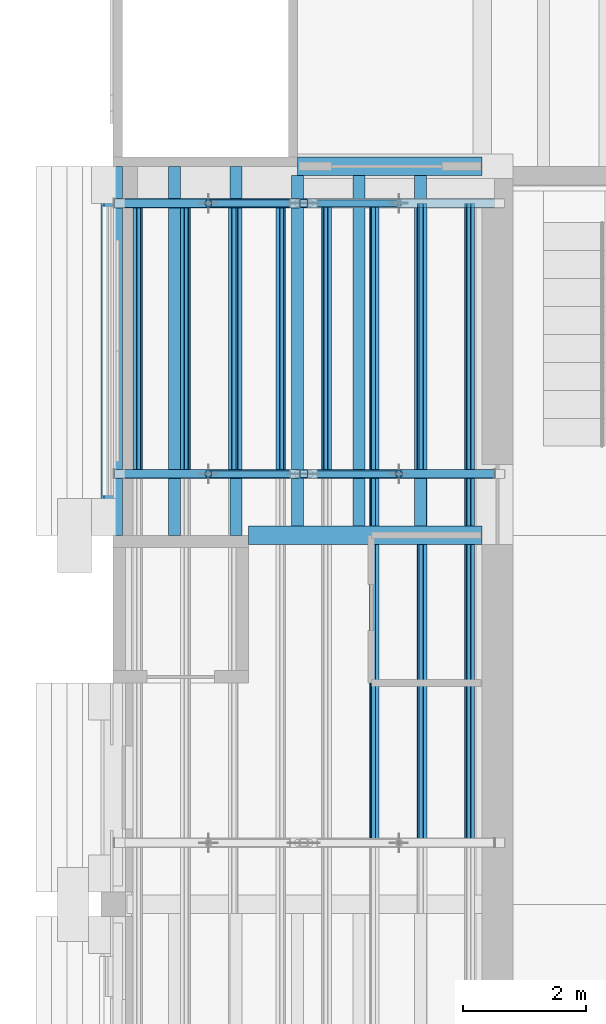
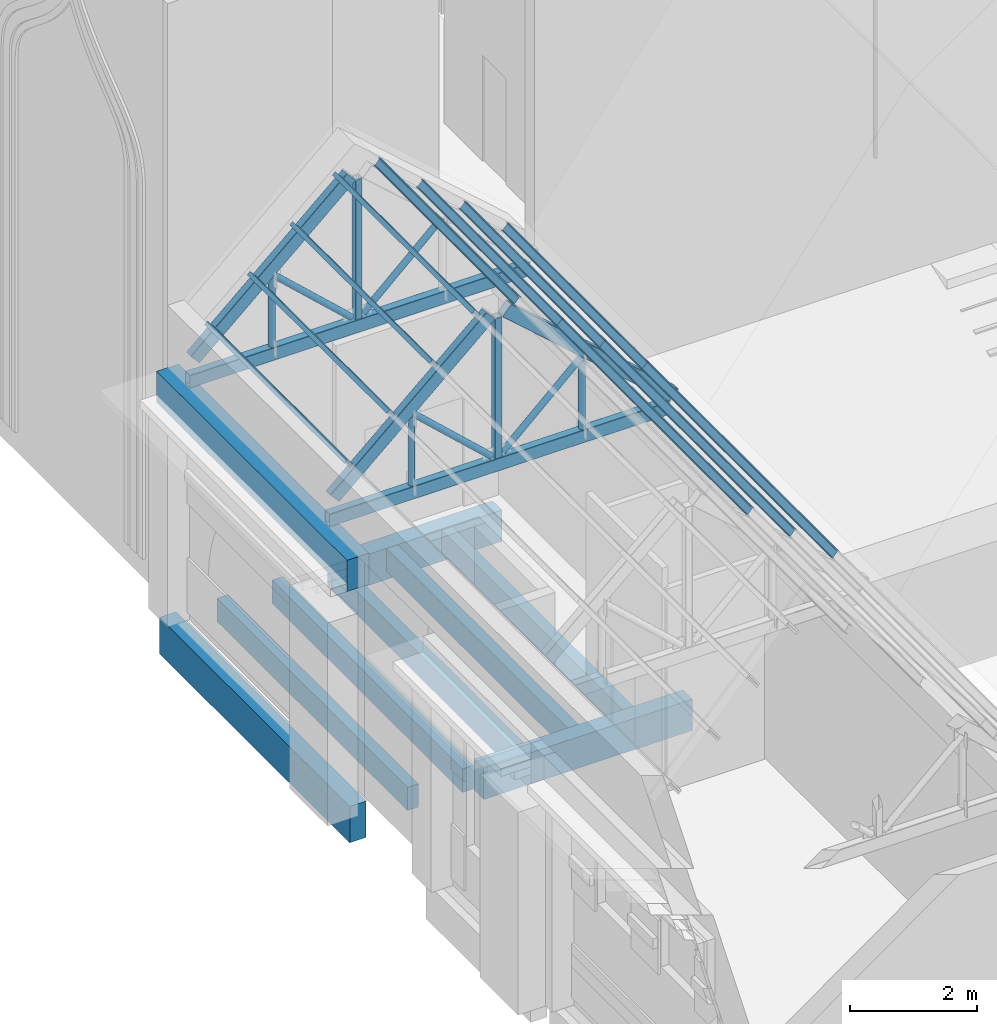
# One storey, part 41 of 118: 25 members, 9 beams.
"""IFC4 building model written with IfcOpenShell, lengths in metres."""

import ifcopenshell
import ifcopenshell.guid

model = None  # the IFC model being written
_history = None  # IfcOwnerHistory: only IFC2X3 demands one
_inside = {}  # id of a spatial element -> (the spatial element, [elements in it])
_under = {}  # id of a project, library or spatial element -> (it, [spatial elements below it])
_declared = {}  # id of a project -> (the project, [libraries it declares])
_typed = {}  # id of a type object -> (the type object, [elements of that type])
_made_of = {}  # id of a material, layer set ... -> (it, [elements and type objects made of it])


def new_model(schema):
    """Start an empty IFC model of exactly this schema.

    Asked for "IFC4X3", IfcOpenShell would pick the latest addendum, in which some entities
    have other attributes; the version numbers below select the first issue.
    IFC2X3 requires an IfcOwnerHistory on every rooted entity: one is made here for all.
    """
    global model, _history
    if schema == "IFC4X3":
        model = ifcopenshell.file(schema_version=(4, 3, 0, 0))
    else:
        model = ifcopenshell.file(schema=schema)
    _inside.clear()
    _under.clear()
    _declared.clear()
    _typed.clear()
    _made_of.clear()
    _history = None
    if model.schema == "IFC2X3":
        org = make("IfcOrganization", Name="unknown")
        user = make(
            "IfcPersonAndOrganization",
            ThePerson=make("IfcPerson", FamilyName="unknown"),
            TheOrganization=org,
        )
        app = make(
            "IfcApplication",
            ApplicationDeveloper=org,
            Version="unknown",
            ApplicationFullName="unknown",
            ApplicationIdentifier="unknown",
        )
        _history = make(
            "IfcOwnerHistory",
            OwningUser=user,
            OwningApplication=app,
            ChangeAction="ADDED",
            CreationDate=0,
        )
    return model


def make(cls, **values):
    """One entity of the class cls with the attributes given. An attribute that is None is left unset."""
    return model.create_entity(
        cls, **{name: value for name, value in values.items() if value is not None}
    )


def rooted(cls, **values):
    """An entity with a GlobalId (a new one), such as an element, a storey or a relation."""
    return make(cls, GlobalId=ifcopenshell.guid.new(), OwnerHistory=_history, **values)


def si_unit(unit_type, name, prefix=None):
    """IfcSIUnit, for example si_unit("LENGTHUNIT", "METRE", prefix="MILLI")."""
    return make("IfcSIUnit", UnitType=unit_type, Prefix=prefix, Name=name)


def assignment(units):
    """IfcUnitAssignment: the units of a project."""
    return None if units is None else make("IfcUnitAssignment", Units=units)


def point(xyz):
    """IfcCartesianPoint."""
    return None if xyz is None else make("IfcCartesianPoint", Coordinates=xyz)


def direction(xyz):
    """IfcDirection."""
    return None if xyz is None else make("IfcDirection", DirectionRatios=xyz)


def frame(location, z_axis=None, x_axis=None):
    """IfcAxis2Placement3D, a coordinate frame: its origin and axes. An axis left out is left unset."""
    return make(
        "IfcAxis2Placement3D",
        Location=point(location),
        Axis=direction(z_axis),
        RefDirection=direction(x_axis),
    )


def frame_2d(location, x_axis=None):
    """IfcAxis2Placement2D, a coordinate frame in the plane: its origin and x axis."""
    return make(
        "IfcAxis2Placement2D", Location=point(location), RefDirection=direction(x_axis)
    )


def origin():
    """The frame at (0, 0, 0) with its axes left unset."""
    return frame((0.0, 0.0, 0.0))


def origin_2d():
    """The frame at (0, 0) in the plane with its x axis left unset."""
    return frame_2d((0.0, 0.0))


def place(relative_to, where):
    """IfcLocalPlacement: puts the frame where relative to a parent placement (None: the world)."""
    return make(
        "IfcLocalPlacement", PlacementRelTo=relative_to, RelativePlacement=where
    )


def context(
    kind, dimensions, precision=None, world=None, true_north=None, identifier=None
):
    """IfcGeometricRepresentationContext, for example the 3D "Model" context."""
    return make(
        "IfcGeometricRepresentationContext",
        ContextIdentifier=identifier,
        ContextType=kind,
        CoordinateSpaceDimension=dimensions,
        Precision=precision,
        WorldCoordinateSystem=world,
        TrueNorth=true_north,
    )


def subcontext(parent, identifier, kind, view, scale=None):
    """IfcGeometricRepresentationSubContext, for example "Body" below "Model"."""
    return make(
        "IfcGeometricRepresentationSubContext",
        ContextIdentifier=identifier,
        ContextType=kind,
        ParentContext=parent,
        TargetScale=scale,
        TargetView=view,
    )


def project(units=None, contexts=None):
    """IfcProject with its units and contexts."""
    return rooted(
        "IfcProject",
        Name="project",
        RepresentationContexts=contexts,
        UnitsInContext=assignment(units),
    )


def spatial(cls, under=None, at=None, **own):
    """A site, building, storey or space (cls), placed at a placement, below another one or the project."""
    s = rooted(cls, ObjectPlacement=at, **own)
    if under is not None:
        _under.setdefault(under.id(), (under, []))[1].append(s)
    return s


def profile(cls, at=None, kind="AREA", **sizes):
    """A parametric profile (cls). Its sizes go by their IFC names, for example OverallWidth=200.0."""
    return make(cls, ProfileType=kind, Position=at, **sizes)


def rectangle(**sizes):
    """IfcRectangleProfileDef."""
    return profile("IfcRectangleProfileDef", **sizes)


def hollow_rectangle(**sizes):
    """IfcRectangleHollowProfileDef."""
    return profile("IfcRectangleHollowProfileDef", **sizes)


def hollow_circle(**sizes):
    """IfcCircleHollowProfileDef."""
    return profile("IfcCircleHollowProfileDef", **sizes)


def i_section(**sizes):
    """IfcIShapeProfileDef."""
    return profile("IfcIShapeProfileDef", **sizes)


def extrude(swept, where, along, depth):
    """IfcExtrudedAreaSolid: the profile swept, set in the frame where, extruded along a direction by depth."""
    return make(
        "IfcExtrudedAreaSolid",
        SweptArea=swept,
        Position=where,
        ExtrudedDirection=direction(along),
        Depth=depth,
    )


def shape(context_of_items, identifier, shape_type, items):
    """IfcShapeRepresentation: the items that make up one representation, for example the "Body"."""
    return make(
        "IfcShapeRepresentation",
        ContextOfItems=context_of_items,
        RepresentationIdentifier=identifier,
        RepresentationType=shape_type,
        Items=items,
    )


def material(Name=None, Category=None):
    """IfcMaterial."""
    return make("IfcMaterial", Name=Name, Category=Category)


def material_profile(
    of_material, cross_section, Name=None, Category=None, Priority=None
):
    """IfcMaterialProfile: a cross section and its material."""
    return make(
        "IfcMaterialProfile",
        Name=Name,
        Material=of_material,
        Profile=cross_section,
        Priority=Priority,
        Category=Category,
    )


def profile_set(profiles, Name=None, composite=None):
    """IfcMaterialProfileSet."""
    return make(
        "IfcMaterialProfileSet",
        Name=Name,
        MaterialProfiles=profiles,
        CompositeProfile=composite,
    )


def made_of(thing, what):
    """Note that an element or type object is made of a material, layer set ...; save() writes the relation."""
    if what is not None:
        _made_of.setdefault(what.id(), (what, []))[1].append(thing)
    return thing


def type_object(cls, material=None, **own):
    """A type object (cls), such as IfcWallType, which elements share."""
    return made_of(rooted(cls, **own), material)


def element(
    cls,
    number,
    at=None,
    inside=None,
    cuts=None,
    type_object=None,
    material=None,
    context=None,
    identifier="Body",
    shape_type=None,
    held_by="IfcProductDefinitionShape",
    body=None,
    shapes=None,
    **own,
):
    """One element of the class cls, such as IfcWall. Its Tag is "e" and its number.

    at: its placement. inside: the storey or other place that contains it. cuts: it is an
    opening in that element (IfcRelVoidsElement). A single representation is given by context,
    identifier, shape_type and body (its items); several are given by shapes. held_by: the class
    of the entity that holds the representations. save() writes the other relations.
    """
    e = rooted(cls, Tag="e%d" % number, ObjectPlacement=at, **own)
    if body is not None:
        shapes = [shape(context, identifier, shape_type, body)]
    if shapes is not None:
        e.Representation = make(held_by, Representations=shapes)
    if inside is not None:
        _inside.setdefault(inside.id(), (inside, []))[1].append(e)
    if cuts is not None:
        rooted(
            "IfcRelVoidsElement", RelatingBuildingElement=cuts, RelatedOpeningElement=e
        )
    if type_object is not None:
        _typed.setdefault(type_object.id(), (type_object, []))[1].append(e)
    return made_of(e, material)


def aggregate(whole, parts):
    """IfcRelAggregates: a whole, such as a stair, and the parts it consists of."""
    return rooted("IfcRelAggregates", RelatingObject=whole, RelatedObjects=parts)


def save(model, path):
    """Write the relations noted so far, then the file.

    IfcRelAggregates (storeys below a building ...), IfcRelContainedInSpatialStructure (elements
    in a storey), IfcRelDefinesByType, IfcRelAssociatesMaterial and IfcRelDeclares: one each for
    every whole, place, type object, material and project.
    """
    for whole, parts in _under.values():
        aggregate(whole, parts)
    for where, things in _inside.values():
        rooted(
            "IfcRelContainedInSpatialStructure",
            RelatedElements=things,
            RelatingStructure=where,
        )
    for kind, things in _typed.values():
        rooted("IfcRelDefinesByType", RelatedObjects=things, RelatingType=kind)
    for what, things in _made_of.values():
        rooted("IfcRelAssociatesMaterial", RelatedObjects=things, RelatingMaterial=what)
    for by, libraries in _declared.values():
        rooted("IfcRelDeclares", RelatingContext=by, RelatedDefinitions=libraries)
    model.write(path)


model = new_model("IFC4")

# Units and contexts
model_context = context("Model", 3, precision=1e-05, world=origin(), true_north=direction((0.0, 1.0)))
body_context = subcontext(model_context, "Body", "Model", "MODEL_VIEW")
ifc_project = project(units=[si_unit("LENGTHUNIT", "METRE"), si_unit("AREAUNIT", "SQUARE_METRE"), si_unit("VOLUMEUNIT", "CUBIC_METRE"), si_unit("PLANEANGLEUNIT", "RADIAN"), si_unit("MASSUNIT", "GRAM", prefix="KILO")], contexts=[model_context])

# Site, building, storey
site_placement = place(None, origin())
site = spatial("IfcSite", under=ifc_project, at=site_placement, CompositionType="ELEMENT")
building_placement = place(site_placement, origin())
building = spatial("IfcBuilding", under=site, at=building_placement, Name="Saffron Lane Theatres", CompositionType="ELEMENT")
storey_placement = place(building_placement, frame((0.0, 0.0, 16.5)))
storey = spatial("IfcBuildingStorey", under=building, at=storey_placement, Name="L03", CompositionType="ELEMENT", Elevation=16.5)

# Beams
ifc_material_1 = material(Name="Concrete N40 (40 MPa)", Category="concrete")
ifc_material_profile_1 = material_profile(ifc_material_1, rectangle(XDim=0.300048828125, YDim=0.60009765625, at=origin_2d()))
ifc_profile_set_1 = profile_set([ifc_material_profile_1], Name="Concrete N40 (40 MPa)")
beam_type_1 = type_object("IfcBeamType", Name="RC-BEAM 300x600", PredefinedType="BEAM", material=ifc_profile_set_1)
beam_1_placement = place(storey_placement, frame((14.199951171875, 84.0, -0.550048828125), z_axis=(1.0, 0.0, 0.0), x_axis=(0.0, 1.0, 0.0)))
element("IfcBeam", 1, at=beam_1_placement, inside=storey, type_object=beam_type_1, Name="beam-L03-x840-142", PredefinedType="BEAM", context=body_context, shape_type="SweptSolid", body=[
    extrude(rectangle(XDim=0.300048828125, YDim=0.60009765625, at=origin_2d()), origin(), (0.0, 0.0, 1.0), 3.800048828125),
])
beam_2_placement = place(storey_placement, frame((15.0, 90.0, -0.550048828125), z_axis=(1.0, 0.0, 0.0), x_axis=(0.0, 1.0, 0.0)))
element("IfcBeam", 2, at=beam_2_placement, inside=storey, type_object=beam_type_1, Name="beam-L03-x900-150", PredefinedType="BEAM", context=body_context, shape_type="SweptSolid", body=[
    extrude(rectangle(XDim=0.300048828125, YDim=0.60009765625, at=origin_2d()), origin(), (0.0, 0.0, 1.0), 3.0),
])
ifc_material_2 = material(Name="Concrete N40 (40 MPa)", Category="concrete")
ifc_material_profile_2 = material_profile(ifc_material_2, rectangle(XDim=0.300048828125, YDim=0.699951171875, at=origin_2d()))
ifc_profile_set_2 = profile_set([ifc_material_profile_2], Name="Concrete N40 (40 MPa)")
beam_type_2 = type_object("IfcBeamType", Name="RC-BEAM 300x700", PredefinedType="BEAM", material=ifc_profile_set_2)
beam_3_placement = place(storey_placement, frame((12.0, 84.0, -0.60009765625), z_axis=(0.0, 1.0, 0.0), x_axis=(-1.0, 0.0, 0.0)))
element("IfcBeam", 3, at=beam_3_placement, inside=storey, type_object=beam_type_2, Name="beam-L03-y120-840", PredefinedType="BEAM", context=body_context, shape_type="SweptSolid", body=[
    extrude(rectangle(XDim=0.300048828125, YDim=0.699951171875, at=origin_2d()), origin(), (0.0, 0.0, 1.0), 6.0),
])
ifc_material_3 = material(Name="Concrete N40 (40 MPa)", Category="concrete")
ifc_material_profile_3 = material_profile(ifc_material_3, rectangle(XDim=0.39990234375, YDim=0.60009765625, at=origin_2d()))
ifc_profile_set_3 = profile_set([ifc_material_profile_3], Name="Concrete N40 (40 MPa)")
beam_type_3 = type_object("IfcBeamType", Name="RC-BEAM 400x600", PredefinedType="BEAM", material=ifc_profile_set_3)
beam_4_placement = place(storey_placement, frame((12.0, 84.0, 4.199951171875), z_axis=(0.0, 1.0, 0.0), x_axis=(-1.0, 0.0, 0.0)))
element("IfcBeam", 4, at=beam_4_placement, inside=storey, type_object=beam_type_3, Name="beam-roof-side-y120-6", PredefinedType="BEAM", context=body_context, shape_type="SweptSolid", body=[
    extrude(rectangle(XDim=0.39990234375, YDim=0.60009765625, at=origin_2d()), origin(), (0.0, 0.0, 1.0), 6.0),
])
ifc_material_4 = material(Name="Concrete N40 (40 MPa)", Category="concrete")
ifc_material_profile_4 = material_profile(ifc_material_4, rectangle(XDim=0.199951171875, YDim=0.449951171875, at=origin_2d()))
ifc_profile_set_4 = profile_set([ifc_material_profile_4], Name="Concrete N40 (40 MPa)")
beam_type_4 = type_object("IfcBeamType", Name="RC-JOIST 200x450", PredefinedType="JOIST", material=ifc_profile_set_4)
for number, where, z_axis, x_axis, name in (
    (5, (13.0, 84.0, -0.47509765625), (0.0, 1.0, 0.0), (-1.0, 0.0, 0.0), "joist-L03-y1300-840"),
    (6, (14.0, 84.0, -0.47509765625), (0.0, 1.0, 0.0), (-1.0, 0.0, 0.0), "joist-L03-y1400-840"),
):
    element("IfcBeam", number, at=place(storey_placement, frame(where, z_axis=z_axis, x_axis=x_axis)), inside=storey, type_object=beam_type_4, Name=name, PredefinedType="JOIST", context=body_context, shape_type="SweptSolid", body=[
        extrude(rectangle(XDim=0.199951171875, YDim=0.449951171875, at=origin_2d()), origin(), (0.0, 0.0, 1.0), 6.0),
    ])
for number, where, z_axis, x_axis, name in (
    (7, (15.0, 84.14990234375, -0.47509765625), (0.0, 1.0, 0.0), (-1.0, 0.0, 0.0), "joist-L03-y1500-842"),
    (8, (16.0, 84.14990234375, -0.47509765625), (0.0, 1.0, 0.0), (-1.0, 0.0, 0.0), "joist-L03-y1600-842"),
    (9, (17.0, 84.14990234375, -0.47509765625), (0.0, 1.0, 0.0), (-1.0, 0.0, 0.0), "joist-L03-y1700-842"),
):
    element("IfcBeam", number, at=place(storey_placement, frame(where, z_axis=z_axis, x_axis=x_axis)), inside=storey, type_object=beam_type_4, Name=name, PredefinedType="JOIST", context=body_context, shape_type="SweptSolid", body=[
        extrude(rectangle(XDim=0.199951171875, YDim=0.449951171875, at=origin_2d()), origin(), (0.0, 0.0, 1.0), 5.7001953125),
    ])

# Members
ifc_material_5 = material(Name="Steel Grade 350", Category="steel")
ifc_material_profile_5 = material_profile(ifc_material_5, hollow_rectangle(XDim=0.125, YDim=0.125, WallThickness=0.006103515625, InnerFilletRadius=0.0029296875, OuterFilletRadius=0.009033203125, at=origin_2d()))
ifc_profile_set_5 = profile_set([ifc_material_profile_5], Name="Steel Grade 350")
member_type_1 = type_object("IfcMemberType", Name="ST-STUDIO POST 125x125x6 SHS", PredefinedType="POST", material=ifc_profile_set_5)
for number, where, z_axis, x_axis, name in (
    (10, (15.10009765625, 85.0, 4.75), (0.0, 0.0, 1.0), (1.0, 0.0, 0.0), "SB1-P44"),
    (11, (15.10009765625, 89.39990234375, 4.75), (0.0, 0.0, 1.0), (1.0, 0.0, 0.0), "SB1-P52"),
):
    element("IfcMember", number, at=place(storey_placement, frame(where, z_axis=z_axis, x_axis=x_axis)), inside=storey, type_object=member_type_1, Name=name, PredefinedType="POST", context=body_context, shape_type="SweptSolid", body=[
        extrude(hollow_rectangle(XDim=0.125, YDim=0.125, WallThickness=0.006103515625, InnerFilletRadius=0.0029296875, OuterFilletRadius=0.009033203125, at=origin_2d()), origin(), (0.0, 0.0, 1.0), 2.69287109375),
    ])
ifc_material_6 = material(Name="Steel Grade 350", Category="steel")
ifc_material_profile_6 = material_profile(ifc_material_6, i_section(OverallWidth=0.074951171875, OverallDepth=0.155029296875, WebThickness=0.006103515625, FlangeThickness=0.009521484375, FilletRadius=0.008056640625, at=origin_2d()))
ifc_profile_set_6 = profile_set([ifc_material_profile_6], Name="Steel Grade 350")
member_type_2 = type_object("IfcMemberType", Name="ST-STUDIO PURLIN 150UB18.0", PredefinedType="PURLIN", material=ifc_profile_set_6)
for number, where, z_axis, x_axis, name in (
    (12, (12.40283203125, 85.0, 5.544677734375), (0.0, 1.0, 0.0), (-0.748268687469, 0.0, -0.663395787863), "SB1-U62"),
    (13, (13.177734375, 85.0, 6.23193359375), (0.0, 1.0, 0.0), (-0.748268687469, 0.0, -0.663395787863), "SB1-U68"),
    (14, (13.95263671875, 85.0, 6.9189453125), (0.0, 1.0, 0.0), (-0.748268687469, 0.0, -0.663395787863), "SB1-U74"),
    (15, (14.727783203125, 85.0, 7.60595703125), (0.0, 1.0, 0.0), (-0.748268687469, 0.0, -0.663395787863), "SB1-U80"),
):
    element("IfcMember", number, at=place(storey_placement, frame(where, z_axis=z_axis, x_axis=x_axis)), inside=storey, type_object=member_type_2, Name=name, PredefinedType="PURLIN", context=body_context, shape_type="SweptSolid", body=[
        extrude(i_section(OverallWidth=0.074951171875, OverallDepth=0.155029296875, WebThickness=0.006103515625, FlangeThickness=0.009521484375, FilletRadius=0.008056640625, at=origin_2d()), origin(), (0.0, 0.0, 1.0), 4.39990234375),
    ])
member_1_placement = place(storey_placement, frame((17.79736328125, 79.0, 5.544677734375), z_axis=(0.0, 1.0, 0.0), x_axis=(-0.748268687469, 0.0, 0.663395787863)))
element("IfcMember", 16, at=member_1_placement, inside=storey, type_object=member_type_2, Name="SB1-U85", PredefinedType="PURLIN", context=body_context, shape_type="SweptSolid", body=[
    extrude(i_section(OverallWidth=0.074951171875, OverallDepth=0.155029296875, WebThickness=0.006103515625, FlangeThickness=0.009521484375, FilletRadius=0.008056640625, at=origin_2d()), origin(), (0.0, 0.0, 1.0), 6.0),
])
member_2_placement = place(storey_placement, frame((17.79736328125, 85.0, 5.544677734375), z_axis=(0.0, 1.0, 0.0), x_axis=(-0.748268687469, 0.0, 0.663395787863)))
element("IfcMember", 17, at=member_2_placement, inside=storey, type_object=member_type_2, Name="SB1-U86", PredefinedType="PURLIN", context=body_context, shape_type="SweptSolid", body=[
    extrude(i_section(OverallWidth=0.074951171875, OverallDepth=0.155029296875, WebThickness=0.006103515625, FlangeThickness=0.009521484375, FilletRadius=0.008056640625, at=origin_2d()), origin(), (0.0, 0.0, 1.0), 4.39990234375),
])
member_3_placement = place(storey_placement, frame((17.022216796875, 79.0, 6.23193359375), z_axis=(0.0, 1.0, 0.0), x_axis=(-0.748268687469, 0.0, 0.663395787863)))
element("IfcMember", 18, at=member_3_placement, inside=storey, type_object=member_type_2, Name="SB1-U91", PredefinedType="PURLIN", context=body_context, shape_type="SweptSolid", body=[
    extrude(i_section(OverallWidth=0.074951171875, OverallDepth=0.155029296875, WebThickness=0.006103515625, FlangeThickness=0.009521484375, FilletRadius=0.008056640625, at=origin_2d()), origin(), (0.0, 0.0, 1.0), 6.0),
])
member_4_placement = place(storey_placement, frame((17.022216796875, 85.0, 6.23193359375), z_axis=(0.0, 1.0, 0.0), x_axis=(-0.748268687469, 0.0, 0.663395787863)))
element("IfcMember", 19, at=member_4_placement, inside=storey, type_object=member_type_2, Name="SB1-U92", PredefinedType="PURLIN", context=body_context, shape_type="SweptSolid", body=[
    extrude(i_section(OverallWidth=0.074951171875, OverallDepth=0.155029296875, WebThickness=0.006103515625, FlangeThickness=0.009521484375, FilletRadius=0.008056640625, at=origin_2d()), origin(), (0.0, 0.0, 1.0), 4.39990234375),
])
member_5_placement = place(storey_placement, frame((16.247314453125, 79.0, 6.9189453125), z_axis=(0.0, 1.0, 0.0), x_axis=(-0.748268687469, 0.0, 0.663395787863)))
element("IfcMember", 20, at=member_5_placement, inside=storey, type_object=member_type_2, Name="SB1-U97", PredefinedType="PURLIN", context=body_context, shape_type="SweptSolid", body=[
    extrude(i_section(OverallWidth=0.074951171875, OverallDepth=0.155029296875, WebThickness=0.006103515625, FlangeThickness=0.009521484375, FilletRadius=0.008056640625, at=origin_2d()), origin(), (0.0, 0.0, 1.0), 6.0),
])
for number, where, z_axis, x_axis, name in (
    (21, (16.247314453125, 85.0, 6.9189453125), (0.0, 1.0, 0.0), (-0.748268687469, 0.0, 0.663395787863), "SB1-U98"),
    (22, (15.47216796875, 85.0, 7.60595703125), (0.0, 1.0, 0.0), (-0.748268687469, 0.0, 0.663395787863), "SB1-U104"),
):
    element("IfcMember", number, at=place(storey_placement, frame(where, z_axis=z_axis, x_axis=x_axis)), inside=storey, type_object=member_type_2, Name=name, PredefinedType="PURLIN", context=body_context, shape_type="SweptSolid", body=[
        extrude(i_section(OverallWidth=0.074951171875, OverallDepth=0.155029296875, WebThickness=0.006103515625, FlangeThickness=0.009521484375, FilletRadius=0.008056640625, at=origin_2d()), origin(), (0.0, 0.0, 1.0), 4.39990234375),
    ])
ifc_material_7 = material(Name="Steel Grade 350", Category="steel")
ifc_material_profile_7 = material_profile(ifc_material_7, hollow_rectangle(XDim=0.14990234375, YDim=0.25, WallThickness=0.009033203125, InnerFilletRadius=0.00439453125, OuterFilletRadius=0.013427734375, at=origin_2d()))
ifc_profile_set_7 = profile_set([ifc_material_profile_7], Name="Steel Grade 350")
member_type_3 = type_object("IfcMemberType", Name="ST-STUDIO TRUSS CHORD 250x150x9 RHS", PredefinedType="CHORD", material=ifc_profile_set_7)
member_6_placement = place(storey_placement, frame((12.02001953125, 85.0, 4.625), z_axis=(1.0, 0.0, 0.0), x_axis=(0.0, 1.0, 0.0)))
element("IfcMember", 23, at=member_6_placement, inside=storey, type_object=member_type_3, Name="SB1-T41", PredefinedType="CHORD", context=body_context, shape_type="SweptSolid", body=[
    extrude(hollow_rectangle(XDim=0.14990234375, YDim=0.25, WallThickness=0.009033203125, InnerFilletRadius=0.00439453125, OuterFilletRadius=0.013427734375, at=origin_2d()), origin(), (0.0, 0.0, 1.0), 6.179931640625),
])
member_7_placement = place(storey_placement, frame((12.113037109375, 85.0, 5.01708984375), z_axis=(0.748231613734, 0.0, 0.663437602348), x_axis=(0.0, 1.0, 0.0)))
element("IfcMember", 24, at=member_7_placement, inside=storey, type_object=member_type_3, Name="SB1-C42", PredefinedType="CHORD", context=body_context, shape_type="SweptSolid", body=[
    extrude(hollow_rectangle(XDim=0.14990234375, YDim=0.25, WallThickness=0.009033203125, InnerFilletRadius=0.00439453125, OuterFilletRadius=0.013427734375, at=origin_2d()), origin(), (0.0, 0.0, 1.0), 3.797607421875),
])
member_8_placement = place(storey_placement, frame((18.282958984375, 85.0, 4.843505859375), z_axis=(-0.748261446236, 0.0, 0.663403955428), x_axis=(0.0, -1.0, 0.0)))
element("IfcMember", 25, at=member_8_placement, inside=storey, type_object=member_type_3, Name="SB1-C43", PredefinedType="CHORD", context=body_context, shape_type="SweptSolid", body=[
    extrude(hollow_rectangle(XDim=0.14990234375, YDim=0.25, WallThickness=0.009033203125, InnerFilletRadius=0.00439453125, OuterFilletRadius=0.013427734375, at=origin_2d()), origin(), (0.0, 0.0, 1.0), 4.0595703125),
])
member_9_placement = place(storey_placement, frame((12.02001953125, 89.39990234375, 4.625), z_axis=(1.0, 0.0, 0.0), x_axis=(0.0, 1.0, 0.0)))
element("IfcMember", 26, at=member_9_placement, inside=storey, type_object=member_type_3, Name="SB1-T49", PredefinedType="CHORD", context=body_context, shape_type="SweptSolid", body=[
    extrude(hollow_rectangle(XDim=0.14990234375, YDim=0.25, WallThickness=0.009033203125, InnerFilletRadius=0.00439453125, OuterFilletRadius=0.013427734375, at=origin_2d()), origin(), (0.0, 0.0, 1.0), 6.179931640625),
])
member_10_placement = place(storey_placement, frame((12.113037109375, 89.39990234375, 5.01708984375), z_axis=(0.748231613734, 0.0, 0.663437602348), x_axis=(0.0, 1.0, 0.0)))
element("IfcMember", 27, at=member_10_placement, inside=storey, type_object=member_type_3, Name="SB1-C50", PredefinedType="CHORD", context=body_context, shape_type="SweptSolid", body=[
    extrude(hollow_rectangle(XDim=0.14990234375, YDim=0.25, WallThickness=0.009033203125, InnerFilletRadius=0.00439453125, OuterFilletRadius=0.013427734375, at=origin_2d()), origin(), (0.0, 0.0, 1.0), 3.797607421875),
])
ifc_material_8 = material(Name="Steel Grade 350", Category="steel")
ifc_material_profile_8 = material_profile(ifc_material_8, hollow_circle(Radius=0.05712890625, WallThickness=0.006103515625, at=origin_2d()))
ifc_profile_set_8 = profile_set([ifc_material_profile_8], Name="Steel Grade 350")
member_type_4 = type_object("IfcMemberType", Name="ST-STUDIO TRUSS WEB 114.3x6.0 CHS", PredefinedType="BRACE", material=ifc_profile_set_8)
for number, where, z_axis, x_axis, name in (
    (28, (13.550048828125, 85.0, 4.75), (0.0, 0.0, 1.0), (1.0, 0.0, 0.0), "SB1-W45"),
    (29, (16.64990234375, 85.0, 4.75), (0.0, 0.0, 1.0), (1.0, 0.0, 0.0), "SB1-W46"),
):
    element("IfcMember", number, at=place(storey_placement, frame(where, z_axis=z_axis, x_axis=x_axis)), inside=storey, type_object=member_type_4, Name=name, PredefinedType="BRACE", context=body_context, shape_type="SweptSolid", body=[
        extrude(hollow_circle(Radius=0.05712890625, WallThickness=0.006103515625, at=origin_2d()), origin(), (0.0, 0.0, 1.0), 1.323486328125),
    ])
for number, where, z_axis, x_axis, name in (
    (30, (14.991943359375, 85.0, 4.7919921875), (-0.734492556675, 0.0, 0.678616743228), (0.0, -1.0, 0.0), "SB1-W47"),
    (31, (15.2080078125, 85.0, 4.7919921875), (0.734492556675, 0.0, 0.678616743228), (0.0, 1.0, 0.0), "SB1-W48"),
):
    element("IfcMember", number, at=place(storey_placement, frame(where, z_axis=z_axis, x_axis=x_axis)), inside=storey, type_object=member_type_4, Name=name, PredefinedType="BRACE", context=body_context, shape_type="SweptSolid", body=[
        extrude(hollow_circle(Radius=0.05712890625, WallThickness=0.006103515625, at=origin_2d()), origin(), (0.0, 0.0, 1.0), 1.95751953125),
    ])
member_11_placement = place(storey_placement, frame((13.550048828125, 89.39990234375, 4.75), z_axis=(0.0, 0.0, 1.0), x_axis=(1.0, 0.0, 0.0)))
element("IfcMember", 32, at=member_11_placement, inside=storey, type_object=member_type_4, Name="SB1-W53", PredefinedType="BRACE", context=body_context, shape_type="SweptSolid", body=[
    extrude(hollow_circle(Radius=0.05712890625, WallThickness=0.006103515625, at=origin_2d()), origin(), (0.0, 0.0, 1.0), 1.323486328125),
])
for number, where, z_axis, x_axis, name in (
    (33, (14.991943359375, 89.39990234375, 4.7919921875), (-0.734492556675, 0.0, 0.678616743228), (0.0, -1.0, 0.0), "SB1-W55"),
    (34, (15.2080078125, 89.39990234375, 4.7919921875), (0.734492556675, 0.0, 0.678616743228), (0.0, 1.0, 0.0), "SB1-W56"),
):
    element("IfcMember", number, at=place(storey_placement, frame(where, z_axis=z_axis, x_axis=x_axis)), inside=storey, type_object=member_type_4, Name=name, PredefinedType="BRACE", context=body_context, shape_type="SweptSolid", body=[
        extrude(hollow_circle(Radius=0.05712890625, WallThickness=0.006103515625, at=origin_2d()), origin(), (0.0, 0.0, 1.0), 1.95751953125),
    ])

save(model, "model.ifc")
